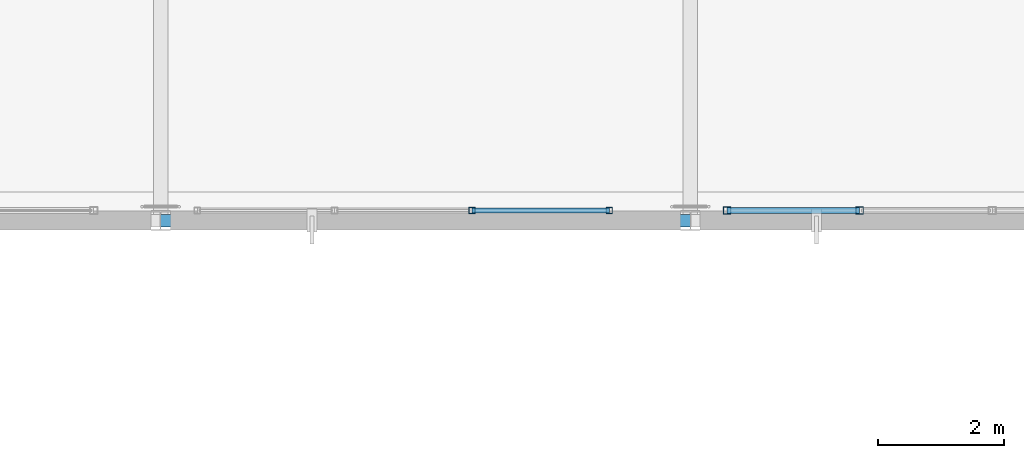
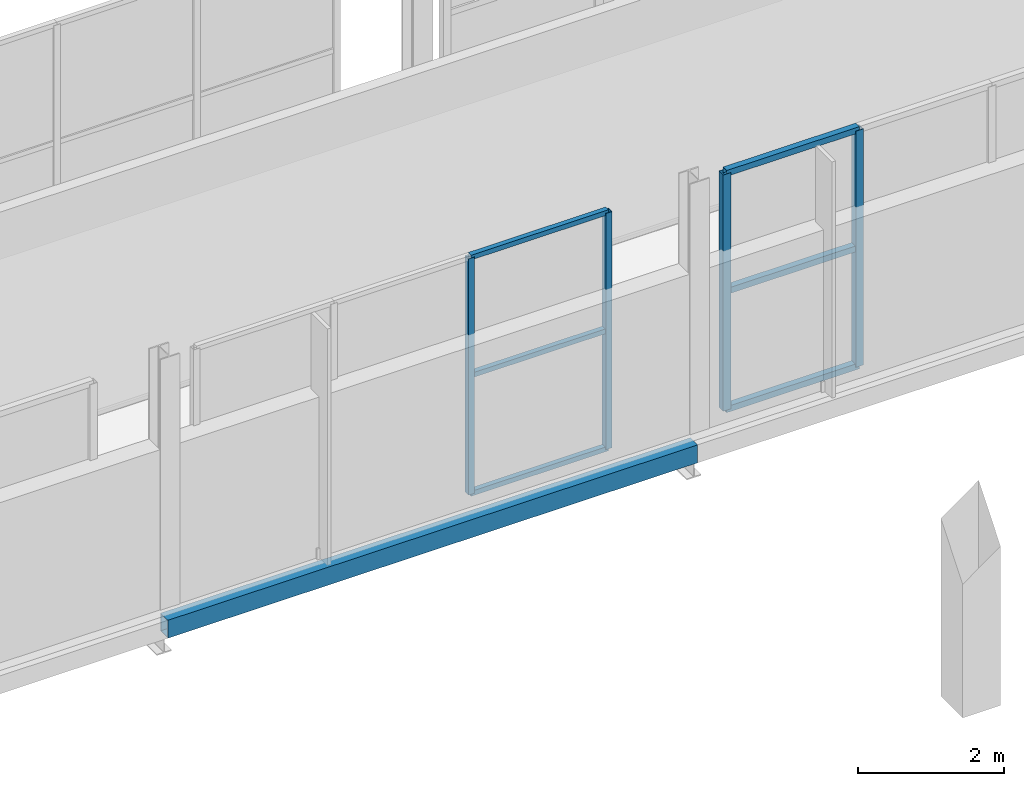
# One storey, part 48 of 151: 10 members, 1 beam, 2 elements without a shape of their own.
"""IFC4 building model written with IfcOpenShell, lengths in metres."""

import ifcopenshell
import ifcopenshell.guid

model = None  # the IFC model being written
_history = None  # IfcOwnerHistory: only IFC2X3 demands one
_inside = {}  # id of a spatial element -> (the spatial element, [elements in it])
_under = {}  # id of a project, library or spatial element -> (it, [spatial elements below it])
_declared = {}  # id of a project -> (the project, [libraries it declares])
_typed = {}  # id of a type object -> (the type object, [elements of that type])
_made_of = {}  # id of a material, layer set ... -> (it, [elements and type objects made of it])


def new_model(schema):
    """Start an empty IFC model of exactly this schema.

    Asked for "IFC4X3", IfcOpenShell would pick the latest addendum, in which some entities
    have other attributes; the version numbers below select the first issue.
    IFC2X3 requires an IfcOwnerHistory on every rooted entity: one is made here for all.
    """
    global model, _history
    if schema == "IFC4X3":
        model = ifcopenshell.file(schema_version=(4, 3, 0, 0))
    else:
        model = ifcopenshell.file(schema=schema)
    _inside.clear()
    _under.clear()
    _declared.clear()
    _typed.clear()
    _made_of.clear()
    _history = None
    if model.schema == "IFC2X3":
        org = make("IfcOrganization", Name="unknown")
        user = make(
            "IfcPersonAndOrganization",
            ThePerson=make("IfcPerson", FamilyName="unknown"),
            TheOrganization=org,
        )
        app = make(
            "IfcApplication",
            ApplicationDeveloper=org,
            Version="unknown",
            ApplicationFullName="unknown",
            ApplicationIdentifier="unknown",
        )
        _history = make(
            "IfcOwnerHistory",
            OwningUser=user,
            OwningApplication=app,
            ChangeAction="ADDED",
            CreationDate=0,
        )
    return model


def make(cls, **values):
    """One entity of the class cls with the attributes given. An attribute that is None is left unset."""
    return model.create_entity(
        cls, **{name: value for name, value in values.items() if value is not None}
    )


def rooted(cls, **values):
    """An entity with a GlobalId (a new one), such as an element, a storey or a relation."""
    return make(cls, GlobalId=ifcopenshell.guid.new(), OwnerHistory=_history, **values)


def si_unit(unit_type, name, prefix=None):
    """IfcSIUnit, for example si_unit("LENGTHUNIT", "METRE", prefix="MILLI")."""
    return make("IfcSIUnit", UnitType=unit_type, Prefix=prefix, Name=name)


def assignment(units):
    """IfcUnitAssignment: the units of a project."""
    return None if units is None else make("IfcUnitAssignment", Units=units)


def point(xyz):
    """IfcCartesianPoint."""
    return None if xyz is None else make("IfcCartesianPoint", Coordinates=xyz)


def direction(xyz):
    """IfcDirection."""
    return None if xyz is None else make("IfcDirection", DirectionRatios=xyz)


def frame(location, z_axis=None, x_axis=None):
    """IfcAxis2Placement3D, a coordinate frame: its origin and axes. An axis left out is left unset."""
    return make(
        "IfcAxis2Placement3D",
        Location=point(location),
        Axis=direction(z_axis),
        RefDirection=direction(x_axis),
    )


def frame_2d(location, x_axis=None):
    """IfcAxis2Placement2D, a coordinate frame in the plane: its origin and x axis."""
    return make(
        "IfcAxis2Placement2D", Location=point(location), RefDirection=direction(x_axis)
    )


def origin():
    """The frame at (0, 0, 0) with its axes left unset."""
    return frame((0.0, 0.0, 0.0))


def origin_2d():
    """The frame at (0, 0) in the plane with its x axis left unset."""
    return frame_2d((0.0, 0.0))


def place(relative_to, where):
    """IfcLocalPlacement: puts the frame where relative to a parent placement (None: the world)."""
    return make(
        "IfcLocalPlacement", PlacementRelTo=relative_to, RelativePlacement=where
    )


def context(
    kind, dimensions, precision=None, world=None, true_north=None, identifier=None
):
    """IfcGeometricRepresentationContext, for example the 3D "Model" context."""
    return make(
        "IfcGeometricRepresentationContext",
        ContextIdentifier=identifier,
        ContextType=kind,
        CoordinateSpaceDimension=dimensions,
        Precision=precision,
        WorldCoordinateSystem=world,
        TrueNorth=true_north,
    )


def subcontext(parent, identifier, kind, view, scale=None):
    """IfcGeometricRepresentationSubContext, for example "Body" below "Model"."""
    return make(
        "IfcGeometricRepresentationSubContext",
        ContextIdentifier=identifier,
        ContextType=kind,
        ParentContext=parent,
        TargetScale=scale,
        TargetView=view,
    )


def project(units=None, contexts=None):
    """IfcProject with its units and contexts."""
    return rooted(
        "IfcProject",
        Name="project",
        RepresentationContexts=contexts,
        UnitsInContext=assignment(units),
    )


def spatial(cls, under=None, at=None, **own):
    """A site, building, storey or space (cls), placed at a placement, below another one or the project."""
    s = rooted(cls, ObjectPlacement=at, **own)
    if under is not None:
        _under.setdefault(under.id(), (under, []))[1].append(s)
    return s


def profile(cls, at=None, kind="AREA", **sizes):
    """A parametric profile (cls). Its sizes go by their IFC names, for example OverallWidth=200.0."""
    return make(cls, ProfileType=kind, Position=at, **sizes)


def hollow_rectangle(**sizes):
    """IfcRectangleHollowProfileDef."""
    return profile("IfcRectangleHollowProfileDef", **sizes)


def extrude(swept, where, along, depth):
    """IfcExtrudedAreaSolid: the profile swept, set in the frame where, extruded along a direction by depth."""
    return make(
        "IfcExtrudedAreaSolid",
        SweptArea=swept,
        Position=where,
        ExtrudedDirection=direction(along),
        Depth=depth,
    )


def shape(context_of_items, identifier, shape_type, items):
    """IfcShapeRepresentation: the items that make up one representation, for example the "Body"."""
    return make(
        "IfcShapeRepresentation",
        ContextOfItems=context_of_items,
        RepresentationIdentifier=identifier,
        RepresentationType=shape_type,
        Items=items,
    )


def material(Name=None, Category=None):
    """IfcMaterial."""
    return make("IfcMaterial", Name=Name, Category=Category)


def material_profile(
    of_material, cross_section, Name=None, Category=None, Priority=None
):
    """IfcMaterialProfile: a cross section and its material."""
    return make(
        "IfcMaterialProfile",
        Name=Name,
        Material=of_material,
        Profile=cross_section,
        Priority=Priority,
        Category=Category,
    )


def profile_set(profiles, Name=None, composite=None):
    """IfcMaterialProfileSet."""
    return make(
        "IfcMaterialProfileSet",
        Name=Name,
        MaterialProfiles=profiles,
        CompositeProfile=composite,
    )


def made_of(thing, what):
    """Note that an element or type object is made of a material, layer set ...; save() writes the relation."""
    if what is not None:
        _made_of.setdefault(what.id(), (what, []))[1].append(thing)
    return thing


def type_object(cls, material=None, **own):
    """A type object (cls), such as IfcWallType, which elements share."""
    return made_of(rooted(cls, **own), material)


def element(
    cls,
    number,
    at=None,
    inside=None,
    cuts=None,
    type_object=None,
    material=None,
    context=None,
    identifier="Body",
    shape_type=None,
    held_by="IfcProductDefinitionShape",
    body=None,
    shapes=None,
    **own,
):
    """One element of the class cls, such as IfcWall. Its Tag is "e" and its number.

    at: its placement. inside: the storey or other place that contains it. cuts: it is an
    opening in that element (IfcRelVoidsElement). A single representation is given by context,
    identifier, shape_type and body (its items); several are given by shapes. held_by: the class
    of the entity that holds the representations. save() writes the other relations.
    """
    e = rooted(cls, Tag="e%d" % number, ObjectPlacement=at, **own)
    if body is not None:
        shapes = [shape(context, identifier, shape_type, body)]
    if shapes is not None:
        e.Representation = make(held_by, Representations=shapes)
    if inside is not None:
        _inside.setdefault(inside.id(), (inside, []))[1].append(e)
    if cuts is not None:
        rooted(
            "IfcRelVoidsElement", RelatingBuildingElement=cuts, RelatedOpeningElement=e
        )
    if type_object is not None:
        _typed.setdefault(type_object.id(), (type_object, []))[1].append(e)
    return made_of(e, material)


def aggregate(whole, parts):
    """IfcRelAggregates: a whole, such as a stair, and the parts it consists of."""
    return rooted("IfcRelAggregates", RelatingObject=whole, RelatedObjects=parts)


def save(model, path):
    """Write the relations noted so far, then the file.

    IfcRelAggregates (storeys below a building ...), IfcRelContainedInSpatialStructure (elements
    in a storey), IfcRelDefinesByType, IfcRelAssociatesMaterial and IfcRelDeclares: one each for
    every whole, place, type object, material and project.
    """
    for whole, parts in _under.values():
        aggregate(whole, parts)
    for where, things in _inside.values():
        rooted(
            "IfcRelContainedInSpatialStructure",
            RelatedElements=things,
            RelatingStructure=where,
        )
    for kind, things in _typed.values():
        rooted("IfcRelDefinesByType", RelatedObjects=things, RelatingType=kind)
    for what, things in _made_of.values():
        rooted("IfcRelAssociatesMaterial", RelatedObjects=things, RelatingMaterial=what)
    for by, libraries in _declared.values():
        rooted("IfcRelDeclares", RelatingContext=by, RelatedDefinitions=libraries)
    model.write(path)


model = new_model("IFC4")

# Units and contexts
model_context = context("Model", 3, precision=1e-05, world=origin(), true_north=direction((0.0, 1.0)))
body_context = subcontext(model_context, "Body", "Model", "MODEL_VIEW")
ifc_project = project(units=[si_unit("LENGTHUNIT", "METRE"), si_unit("AREAUNIT", "SQUARE_METRE"), si_unit("VOLUMEUNIT", "CUBIC_METRE"), si_unit("PLANEANGLEUNIT", "RADIAN"), si_unit("MASSUNIT", "GRAM", prefix="KILO")], contexts=[model_context])

# Site, building, storey
site_placement = place(None, origin())
site = spatial("IfcSite", under=ifc_project, at=site_placement, CompositionType="ELEMENT")
building_placement = place(site_placement, origin())
building = spatial("IfcBuilding", under=site, at=building_placement, Name="Zuvorla Pavilion Media Centre", CompositionType="ELEMENT")
storey_placement = place(building_placement, frame((0.0, 0.0, 13.800048828125)))
storey = spatial("IfcBuildingStorey", under=building, at=storey_placement, Name="L03", CompositionType="ELEMENT", Elevation=13.800048828125)

# Beam
ifc_material_1 = material(Name="Steel S355", Category="steel")
ifc_material_profile_1 = material_profile(ifc_material_1, hollow_rectangle(XDim=0.199951171875, YDim=0.300048828125, WallThickness=0.012451171875, at=origin_2d()), Name="RHS 300x200x12.5")
ifc_profile_set_1 = profile_set([ifc_material_profile_1], Name="Steel S355")
beam_type = type_object("IfcBeamType", Name="BM-SP-RHS300", PredefinedType="SPANDREL", material=ifc_profile_set_1)
beam_placement = place(storey_placement, frame((125.60009765625, 44.0, -0.407958984375), z_axis=(1.0, 0.0, 0.0), x_axis=(0.0, 1.0, 0.0)))
element("IfcBeam", 1, at=beam_placement, inside=storey, type_object=beam_type, Name="L03 spandrel SP01 1087", PredefinedType="SPANDREL", context=body_context, shape_type="SweptSolid", body=[
    extrude(hollow_rectangle(XDim=0.199951171875, YDim=0.300048828125, WallThickness=0.012451171875, at=origin_2d()), origin(), (0.0, 0.0, 1.0), 8.39990234375),
])

# Curtain wall, members
ifc_material_2 = material(Name="Unitised anodised aluminium and solar glass curtain wall", Category="aluminium")
curtain_wall_type_1 = type_object("IfcCurtainWallType", Name="CW-SYS-63", PredefinedType="USERDEFINED", material=ifc_material_2)
curtain_wall_1_placement = place(storey_placement, origin())
curtain_wall_1 = element("IfcCurtainWall", 2, at=curtain_wall_1_placement, inside=storey, type_object=curtain_wall_type_1, Name="L03 curtain wall CW63 144", ObjectType="CURTAIN WALL", PredefinedType="USERDEFINED")
ifc_material_3 = material(Name="Anodised aluminium 6063-T6", Category="aluminium")
ifc_material_profile_2 = material_profile(ifc_material_3, hollow_rectangle(XDim=0.10009765625, YDim=0.10009765625, WallThickness=0.00439453125, at=origin_2d()), Name="ALU MULL 100x100")
ifc_profile_set_2 = profile_set([ifc_material_profile_2], Name="Anodised aluminium 6063-T6")
member_type_1 = type_object("IfcMemberType", Name="CW-MULL-100", PredefinedType="MULLION", material=ifc_profile_set_2)
member_1_placement = place(storey_placement, frame((130.537353515625, 44.159912109375, 0.0), z_axis=(0.0, 0.0, 1.0), x_axis=(1.0, 0.0, 0.0)))
member_1 = element("IfcMember", 3, at=member_1_placement, type_object=member_type_1, Name="CW63 mullion 3", PredefinedType="MULLION", context=body_context, shape_type="SweptSolid", body=[
    extrude(hollow_rectangle(XDim=0.10009765625, YDim=0.10009765625, WallThickness=0.00439453125, at=origin_2d()), origin(), (0.0, 0.0, 1.0), 3.9599609375),
])
member_2_placement = place(storey_placement, frame((132.715087890625, 44.159912109375, 0.0), z_axis=(0.0, 0.0, 1.0), x_axis=(1.0, 0.0, 0.0)))
member_2 = element("IfcMember", 4, at=member_2_placement, type_object=member_type_1, Name="CW63 mullion 4", PredefinedType="MULLION", context=body_context, shape_type="SweptSolid", body=[
    extrude(hollow_rectangle(XDim=0.10009765625, YDim=0.10009765625, WallThickness=0.00439453125, at=origin_2d()), origin(), (0.0, 0.0, 1.0), 3.9599609375),
])

curtain_wall_type_2 = type_object("IfcCurtainWallType", Name="CW-SYS-12", PredefinedType="USERDEFINED", material=ifc_material_2)
curtain_wall_2_placement = place(storey_placement, origin())
curtain_wall_2 = element("IfcCurtainWall", 5, at=curtain_wall_2_placement, inside=storey, type_object=curtain_wall_type_2, Name="L03 curtain wall CW12 145", ObjectType="CURTAIN WALL", PredefinedType="USERDEFINED")
ifc_material_profile_3 = material_profile(ifc_material_3, hollow_rectangle(XDim=0.1201171875, YDim=0.1201171875, WallThickness=0.0048828125, at=origin_2d()), Name="ALU MULL 120x120")
ifc_profile_set_3 = profile_set([ifc_material_profile_3], Name="Anodised aluminium 6063-T6")
member_type_2 = type_object("IfcMemberType", Name="CW-MULL-120", PredefinedType="MULLION", material=ifc_profile_set_3)
member_3_placement = place(storey_placement, frame((134.581787109375, 44.159912109375, 0.0), z_axis=(0.0, 0.0, 1.0), x_axis=(1.0, 0.0, 0.0)))
member_3 = element("IfcMember", 6, at=member_3_placement, type_object=member_type_2, Name="CW12 mullion 1", PredefinedType="MULLION", context=body_context, shape_type="SweptSolid", body=[
    extrude(hollow_rectangle(XDim=0.1201171875, YDim=0.1201171875, WallThickness=0.0048828125, at=origin_2d()), origin(), (0.0, 0.0, 1.0), 3.9599609375),
])
member_4_placement = place(storey_placement, frame((136.6845703125, 44.159912109375, 0.0), z_axis=(0.0, 0.0, 1.0), x_axis=(1.0, 0.0, 0.0)))
member_4 = element("IfcMember", 7, at=member_4_placement, type_object=member_type_2, Name="CW12 mullion 2", PredefinedType="MULLION", context=body_context, shape_type="SweptSolid", body=[
    extrude(hollow_rectangle(XDim=0.1201171875, YDim=0.1201171875, WallThickness=0.0048828125, at=origin_2d()), origin(), (0.0, 0.0, 1.0), 3.9599609375),
])
ifc_material_profile_4 = material_profile(ifc_material_3, hollow_rectangle(XDim=0.10009765625, YDim=0.10009765625, WallThickness=0.00439453125, at=origin_2d()), Name="ALU TRAN 100x100")
ifc_profile_set_4 = profile_set([ifc_material_profile_4], Name="Anodised aluminium 6063-T6")
member_type_3 = type_object("IfcMemberType", Name="CW-TRAN-100", PredefinedType="USERDEFINED", material=ifc_profile_set_4)
member_5_placement = place(storey_placement, frame((134.581787109375, 44.159912109375, 0.0), z_axis=(1.0, 0.0, 0.0), x_axis=(0.0, 1.0, 0.0)))
member_5 = element("IfcMember", 8, at=member_5_placement, type_object=member_type_3, Name="CW12 transom 1.1", ObjectType="TRANSOM", PredefinedType="USERDEFINED", context=body_context, shape_type="SweptSolid", body=[
    extrude(hollow_rectangle(XDim=0.10009765625, YDim=0.10009765625, WallThickness=0.00439453125, at=origin_2d()), origin(), (0.0, 0.0, 1.0), 2.102783203125),
])
member_6_placement = place(storey_placement, frame((134.581787109375, 44.159912109375, 1.97998046875), z_axis=(1.0, 0.0, 0.0), x_axis=(0.0, 1.0, 0.0)))
member_6 = element("IfcMember", 9, at=member_6_placement, type_object=member_type_3, Name="CW12 transom 1.2", ObjectType="TRANSOM", PredefinedType="USERDEFINED", context=body_context, shape_type="SweptSolid", body=[
    extrude(hollow_rectangle(XDim=0.10009765625, YDim=0.10009765625, WallThickness=0.00439453125, at=origin_2d()), origin(), (0.0, 0.0, 1.0), 2.102783203125),
])
member_7_placement = place(storey_placement, frame((134.581787109375, 44.159912109375, 3.9599609375), z_axis=(1.0, 0.0, 0.0), x_axis=(0.0, 1.0, 0.0)))
member_7 = element("IfcMember", 10, at=member_7_placement, type_object=member_type_3, Name="CW12 transom 1.3", ObjectType="TRANSOM", PredefinedType="USERDEFINED", context=body_context, shape_type="SweptSolid", body=[
    extrude(hollow_rectangle(XDim=0.10009765625, YDim=0.10009765625, WallThickness=0.00439453125, at=origin_2d()), origin(), (0.0, 0.0, 1.0), 2.102783203125),
])
aggregate(curtain_wall_2, [member_3, member_4, member_5, member_6, member_7])

# Member
ifc_material_profile_5 = material_profile(ifc_material_3, hollow_rectangle(XDim=0.080078125, YDim=0.080078125, WallThickness=0.00390625, at=origin_2d()), Name="ALU TRAN 80x80")
ifc_profile_set_5 = profile_set([ifc_material_profile_5], Name="Anodised aluminium 6063-T6")
member_type_4 = type_object("IfcMemberType", Name="CW-TRAN-80", PredefinedType="USERDEFINED", material=ifc_profile_set_5)
member_8_placement = place(storey_placement, frame((130.537353515625, 44.159912109375, 0.0), z_axis=(1.0, 0.0, 0.0), x_axis=(0.0, 1.0, 0.0)))
member_8 = element("IfcMember", 11, at=member_8_placement, type_object=member_type_4, Name="CW63 transom 3.1", ObjectType="TRANSOM", PredefinedType="USERDEFINED", context=body_context, shape_type="SweptSolid", body=[
    extrude(hollow_rectangle(XDim=0.080078125, YDim=0.080078125, WallThickness=0.00390625, at=origin_2d()), origin(), (0.0, 0.0, 1.0), 2.177734375),
])

member_9_placement = place(storey_placement, frame((130.537353515625, 44.159912109375, 1.97998046875), z_axis=(1.0, 0.0, 0.0), x_axis=(0.0, 1.0, 0.0)))
member_9 = element("IfcMember", 12, at=member_9_placement, type_object=member_type_4, Name="CW63 transom 3.2", ObjectType="TRANSOM", PredefinedType="USERDEFINED", context=body_context, shape_type="SweptSolid", body=[
    extrude(hollow_rectangle(XDim=0.080078125, YDim=0.080078125, WallThickness=0.00390625, at=origin_2d()), origin(), (0.0, 0.0, 1.0), 2.177734375),
])

member_10_placement = place(storey_placement, frame((130.537353515625, 44.159912109375, 3.9599609375), z_axis=(1.0, 0.0, 0.0), x_axis=(0.0, 1.0, 0.0)))
member_10 = element("IfcMember", 13, at=member_10_placement, type_object=member_type_4, Name="CW63 transom 3.3", ObjectType="TRANSOM", PredefinedType="USERDEFINED", context=body_context, shape_type="SweptSolid", body=[
    extrude(hollow_rectangle(XDim=0.080078125, YDim=0.080078125, WallThickness=0.00390625, at=origin_2d()), origin(), (0.0, 0.0, 1.0), 2.177734375),
])

aggregate(curtain_wall_1, [member_1, member_2, member_8, member_9, member_10])

save(model, "model.ifc")
